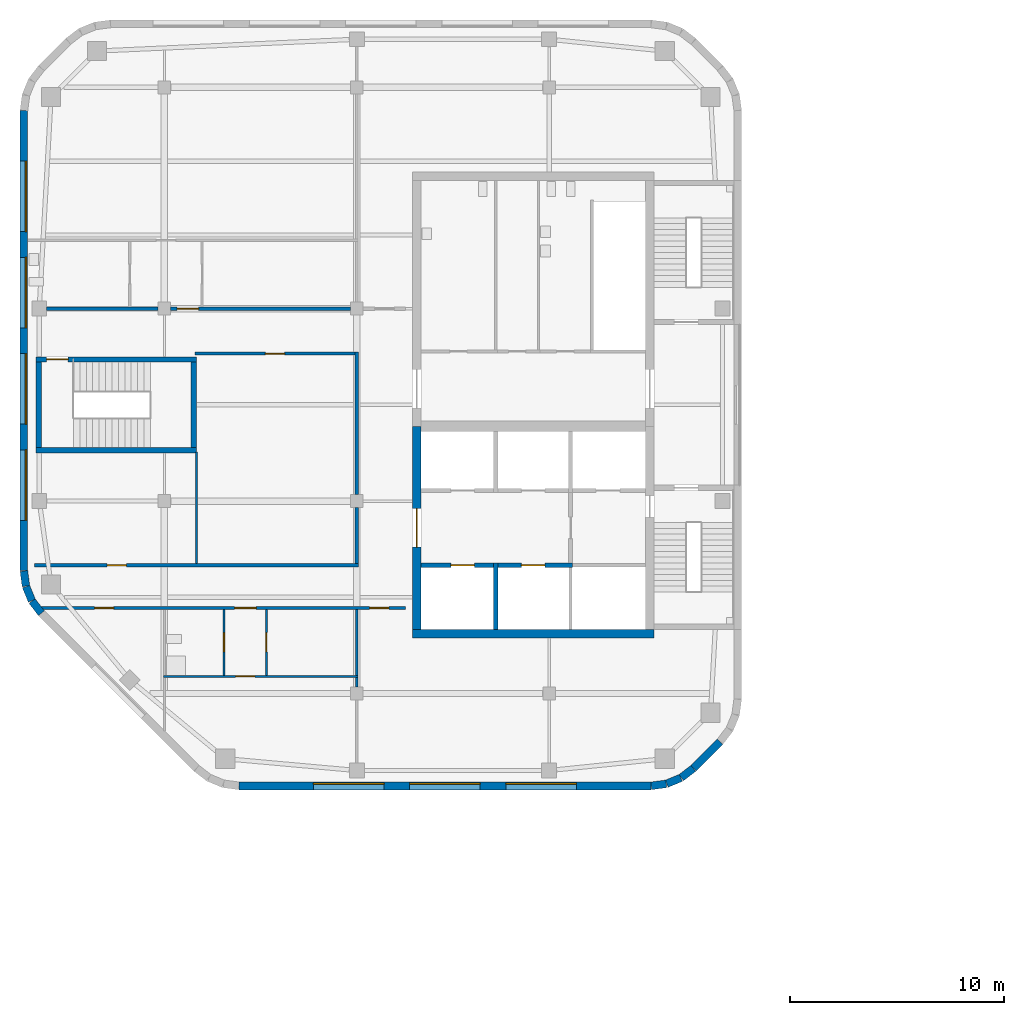
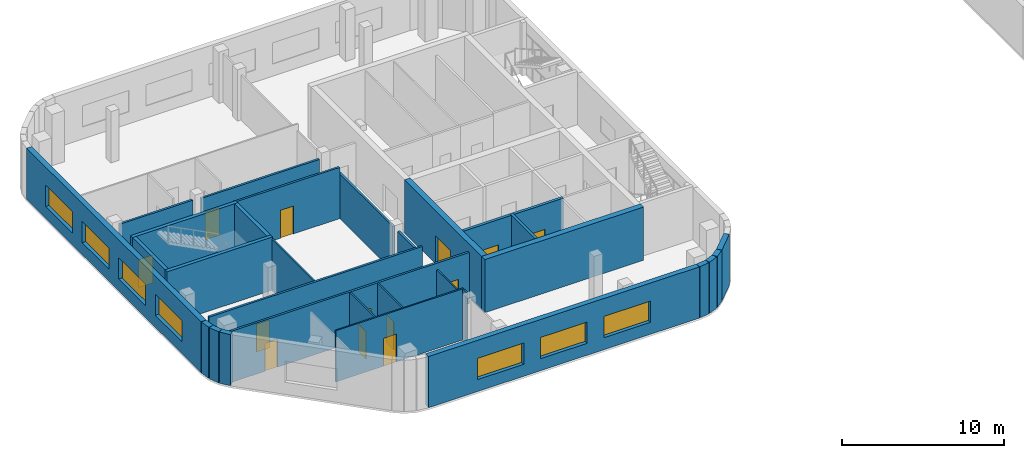
# One storey, part 5 of 14: 31 walls, 13 doors, 7 windows, 20 openings.
"""IFC4 building model written with IfcOpenShell, lengths in metres."""

from ifc_helpers import new_model, si_unit, direction, frame, frame_2d, origin, place, context, subcontext, project, spatial, rectangle, extrude, material, layer, layer_set, type_object, element, fill, save


model = new_model("IFC4")

# Units and contexts
model_context = context("Model", 3, precision=1e-05, world=origin(), true_north=direction((0.0, 1.0)))
body_context = subcontext(model_context, "Body", "Model", "MODEL_VIEW")
ifc_project = project(units=[si_unit("LENGTHUNIT", "METRE"), si_unit("AREAUNIT", "SQUARE_METRE"), si_unit("VOLUMEUNIT", "CUBIC_METRE"), si_unit("PLANEANGLEUNIT", "RADIAN"), si_unit("MASSUNIT", "GRAM", prefix="KILO")], contexts=[model_context])

# Site, building, storey
site_placement = place(None, origin())
site = spatial("IfcSite", under=ifc_project, at=site_placement, CompositionType="ELEMENT")
building_placement = place(site_placement, origin())
building = spatial("IfcBuilding", under=site, at=building_placement, Name="Cinnabar Reach Civic Tower", CompositionType="ELEMENT")
storey_placement = place(building_placement, frame((0.0, 0.0, 104.0)))
storey = spatial("IfcBuildingStorey", under=building, at=storey_placement, Name="L24", CompositionType="ELEMENT", Elevation=104.0)

# Walls
ifc_material_1 = material(Name="Facing brick with insulated backing", Category="masonry")
ifc_layer_1 = layer(ifc_material_1, 0.36)
ifc_layer_set_1 = layer_set([ifc_layer_1], Name="Brick corner wall")
wall_type_1 = type_object("IfcWallType", Name="Brick corner wall", PredefinedType="STANDARD", material=ifc_layer_set_1)
for number, where, z_axis, x_axis, name in (
    (1, (-31.2314, 13.683, 0.0), (0.0, 0.0, 1.0), (0.99144092581, 0.13055608231, 0.0), "Brick corner wall"),
    (2, (-30.5027, 13.7819, 0.0), (0.0, 0.0, 1.0), (0.923871547278, 0.382702709855, 0.0), "Brick corner wall"),
):
    element("IfcWall", number, at=place(storey_placement, frame(where, z_axis=z_axis, x_axis=x_axis)), inside=storey, type_object=wall_type_1, Name=name, PredefinedType="STANDARD", context=body_context, shape_type="SweptSolid", body=[
        extrude(rectangle(XDim=0.7131, YDim=0.36, at=frame_2d((0.3565, 0.0))), origin(), (0.0, 0.0, 1.0), 3.85),
    ])
wall_1_placement = place(storey_placement, frame((-29.8245, 14.066, 0.0), z_axis=(0.0, 0.0, 1.0), x_axis=(0.793321924995, 0.608802368033, 0.0)))
element("IfcWall", 3, at=wall_1_placement, inside=storey, type_object=wall_type_1, Name="Brick corner wall", PredefinedType="STANDARD", context=body_context, shape_type="SweptSolid", body=[
    extrude(rectangle(XDim=0.7132, YDim=0.36, at=frame_2d((0.3566, 0.0))), origin(), (0.0, 0.0, 1.0), 3.85),
])
for number, where, z_axis, x_axis, name in (
    (4, (-60.567, 23.7314, 0.0), (0.0, 0.0, 1.0), (0.13055608231, -0.99144092581, 0.0), "Brick corner wall"),
    (5, (-60.4681, 23.0027, 0.0), (0.0, 0.0, 1.0), (0.382702709855, -0.923871547278, 0.0), "Brick corner wall"),
):
    element("IfcWall", number, at=place(storey_placement, frame(where, z_axis=z_axis, x_axis=x_axis)), inside=storey, type_object=wall_type_1, Name=name, PredefinedType="STANDARD", context=body_context, shape_type="SweptSolid", body=[
        extrude(rectangle(XDim=0.7131, YDim=0.36, at=frame_2d((0.3565, 0.0))), origin(), (0.0, 0.0, 1.0), 3.85),
    ])
wall_2_placement = place(storey_placement, frame((-60.184, 22.3245, 0.0), z_axis=(0.0, 0.0, 1.0), x_axis=(0.608802368033, -0.793321924995, 0.0)))
element("IfcWall", 6, at=wall_2_placement, inside=storey, type_object=wall_type_1, Name="Brick corner wall", PredefinedType="STANDARD", context=body_context, shape_type="SweptSolid", body=[
    extrude(rectangle(XDim=0.7132, YDim=0.36, at=frame_2d((0.3566, 0.0))), origin(), (0.0, 0.0, 1.0), 3.85),
])

# Wall, openings, windows
ifc_layer_2 = layer(ifc_material_1, 0.36)
ifc_layer_set_2 = layer_set([ifc_layer_2], Name="Brick pier and spandrel wall")
wall_type_2 = type_object("IfcWallType", Name="Brick pier and spandrel wall", PredefinedType="STANDARD", material=ifc_layer_set_2)
wall_3_placement = place(storey_placement, frame((-50.5074, 13.68, 0.0), z_axis=(0.0, 0.0, 1.0), x_axis=(1.0, 0.0, 0.0)))
wall_3 = element("IfcWall", 7, at=wall_3_placement, inside=storey, type_object=wall_type_2, Name="Brick facade wall", PredefinedType="STANDARD", context=body_context, shape_type="SweptSolid", body=[
    extrude(rectangle(XDim=19.2648, YDim=0.36, at=frame_2d((9.6324, 0.0))), origin(), (0.0, 0.0, 1.0), 3.85),
])
opening_1_placement = place(wall_3_placement, frame((3.4824, 0.0, 0.9)))
opening_1 = element("IfcOpeningElement", 8, at=opening_1_placement, cuts=wall_3, Name="Opening W2681", PredefinedType="OPENING", context=body_context, shape_type="SweptSolid", body=[
    extrude(rectangle(XDim=3.3, YDim=1.6, at=frame_2d((1.65, 0.8))), frame((0.0, 0.19, 0.0), z_axis=(0.0, -1.0, 0.0), x_axis=(1.0, 0.0, 0.0)), (0.0, 0.0, 1.0), 0.38),
])
opening_2_placement = place(wall_3_placement, frame((7.9824, 0.0, 0.9)))
opening_2 = element("IfcOpeningElement", 9, at=opening_2_placement, cuts=wall_3, Name="Opening W2682", PredefinedType="OPENING", context=body_context, shape_type="SweptSolid", body=[
    extrude(rectangle(XDim=3.3, YDim=1.6, at=frame_2d((1.65, 0.8))), frame((0.0, 0.19, 0.0), z_axis=(0.0, -1.0, 0.0), x_axis=(1.0, 0.0, 0.0)), (0.0, 0.0, 1.0), 0.38),
])
opening_3_placement = place(wall_3_placement, frame((12.4824, 0.0, 0.9)))
opening_3 = element("IfcOpeningElement", 10, at=opening_3_placement, cuts=wall_3, Name="Opening W2683", PredefinedType="OPENING", context=body_context, shape_type="SweptSolid", body=[
    extrude(rectangle(XDim=3.3, YDim=1.6, at=frame_2d((1.65, 0.8))), frame((0.0, 0.19, 0.0), z_axis=(0.0, -1.0, 0.0), x_axis=(1.0, 0.0, 0.0)), (0.0, 0.0, 1.0), 0.38),
])
ifc_material_2 = material(Name="Clear double glazing in aluminium frame", Category="aluminium")
window_type = type_object("IfcWindowType", Name="Deep-set window A", PartitioningType="SINGLE_PANEL", PredefinedType="WINDOW", material=ifc_material_2)
window_1_placement = place(opening_1_placement, origin())
window_1 = element("IfcWindow", 11, at=window_1_placement, inside=storey, type_object=window_type, Name="Window south face", OverallHeight=1.6, OverallWidth=3.3, PartitioningType="SINGLE_PANEL", PredefinedType="WINDOW", context=body_context, shape_type="SweptSolid", body=[
    extrude(rectangle(XDim=3.3, YDim=1.6, at=frame_2d((1.65, 0.8))), frame((0.0, 0.13, 0.0), z_axis=(0.0, -1.0, 0.0), x_axis=(1.0, 0.0, 0.0)), (0.0, 0.0, 1.0), 0.06),
])
fill(opening_1, window_1)
window_2_placement = place(opening_2_placement, origin())
window_2 = element("IfcWindow", 12, at=window_2_placement, inside=storey, type_object=window_type, Name="Window south face", OverallHeight=1.6, OverallWidth=3.3, PartitioningType="SINGLE_PANEL", PredefinedType="WINDOW", context=body_context, shape_type="SweptSolid", body=[
    extrude(rectangle(XDim=3.3, YDim=1.6, at=frame_2d((1.65, 0.8))), frame((0.0, 0.13, 0.0), z_axis=(0.0, -1.0, 0.0), x_axis=(1.0, 0.0, 0.0)), (0.0, 0.0, 1.0), 0.06),
])
fill(opening_2, window_2)
window_3_placement = place(opening_3_placement, origin())
window_3 = element("IfcWindow", 13, at=window_3_placement, inside=storey, type_object=window_type, Name="Window south face", OverallHeight=1.6, OverallWidth=3.3, PartitioningType="SINGLE_PANEL", PredefinedType="WINDOW", context=body_context, shape_type="SweptSolid", body=[
    extrude(rectangle(XDim=3.3, YDim=1.6, at=frame_2d((1.65, 0.8))), frame((0.0, 0.13, 0.0), z_axis=(0.0, -1.0, 0.0), x_axis=(1.0, 0.0, 0.0)), (0.0, 0.0, 1.0), 0.06),
])
fill(opening_3, window_3)

# Wall
wall_4_placement = place(storey_placement, frame((-29.2486, 14.506, 0.0), z_axis=(0.0, 0.0, 1.0), x_axis=(0.707106781187, 0.707106781187, 0.0)))
element("IfcWall", 14, at=wall_4_placement, inside=storey, type_object=wall_type_2, Name="Brick facade wall", PredefinedType="STANDARD", context=body_context, shape_type="SweptSolid", body=[
    extrude(rectangle(XDim=1.7573, YDim=0.36, at=frame_2d((0.8787, 0.0))), origin(), (0.0, 0.0, 1.0), 3.85),
])

# Wall, openings, windows
wall_5_placement = place(storey_placement, frame((-60.57, 45.2574, 0.0), z_axis=(0.0, 0.0, 1.0), x_axis=(0.0, -1.0, 0.0)))
wall_5 = element("IfcWall", 15, at=wall_5_placement, inside=storey, type_object=wall_type_2, Name="Brick facade wall", PredefinedType="STANDARD", context=body_context, shape_type="SweptSolid", body=[
    extrude(rectangle(XDim=21.5148, YDim=0.36, at=frame_2d((10.7574, 0.0))), origin(), (0.0, 0.0, 1.0), 3.85),
])
opening_4_placement = place(wall_5_placement, frame((2.3574, 0.0, 0.9)))
opening_4 = element("IfcOpeningElement", 16, at=opening_4_placement, cuts=wall_5, Name="Opening W2690", PredefinedType="OPENING", context=body_context, shape_type="SweptSolid", body=[
    extrude(rectangle(XDim=3.3, YDim=1.6, at=frame_2d((1.65, 0.8))), frame((0.0, 0.19, 0.0), z_axis=(0.0, -1.0, 0.0), x_axis=(1.0, 0.0, 0.0)), (0.0, 0.0, 1.0), 0.38),
])
opening_5_placement = place(wall_5_placement, frame((6.8574, 0.0, 0.9)))
opening_5 = element("IfcOpeningElement", 17, at=opening_5_placement, cuts=wall_5, Name="Opening W2691", PredefinedType="OPENING", context=body_context, shape_type="SweptSolid", body=[
    extrude(rectangle(XDim=3.3, YDim=1.6, at=frame_2d((1.65, 0.8))), frame((0.0, 0.19, 0.0), z_axis=(0.0, -1.0, 0.0), x_axis=(1.0, 0.0, 0.0)), (0.0, 0.0, 1.0), 0.38),
])
opening_6_placement = place(wall_5_placement, frame((11.3574, 0.0, 0.9)))
opening_6 = element("IfcOpeningElement", 18, at=opening_6_placement, cuts=wall_5, Name="Opening W2692", PredefinedType="OPENING", context=body_context, shape_type="SweptSolid", body=[
    extrude(rectangle(XDim=3.3, YDim=1.6, at=frame_2d((1.65, 0.8))), frame((0.0, 0.19, 0.0), z_axis=(0.0, -1.0, 0.0), x_axis=(1.0, 0.0, 0.0)), (0.0, 0.0, 1.0), 0.38),
])
opening_7_placement = place(wall_5_placement, frame((15.8574, 0.0, 0.9)))
opening_7 = element("IfcOpeningElement", 19, at=opening_7_placement, cuts=wall_5, Name="Opening W2693", PredefinedType="OPENING", context=body_context, shape_type="SweptSolid", body=[
    extrude(rectangle(XDim=3.3, YDim=1.6, at=frame_2d((1.65, 0.8))), frame((0.0, 0.19, 0.0), z_axis=(0.0, -1.0, 0.0), x_axis=(1.0, 0.0, 0.0)), (0.0, 0.0, 1.0), 0.38),
])
window_4_placement = place(opening_4_placement, origin())
window_4 = element("IfcWindow", 20, at=window_4_placement, inside=storey, type_object=window_type, Name="Window west face", OverallHeight=1.6, OverallWidth=3.3, PartitioningType="SINGLE_PANEL", PredefinedType="WINDOW", context=body_context, shape_type="SweptSolid", body=[
    extrude(rectangle(XDim=3.3, YDim=1.6, at=frame_2d((1.65, 0.8))), frame((0.0, 0.13, 0.0), z_axis=(0.0, -1.0, 0.0), x_axis=(1.0, 0.0, 0.0)), (0.0, 0.0, 1.0), 0.06),
])
fill(opening_4, window_4)
window_5_placement = place(opening_5_placement, origin())
window_5 = element("IfcWindow", 21, at=window_5_placement, inside=storey, type_object=window_type, Name="Window west face", OverallHeight=1.6, OverallWidth=3.3, PartitioningType="SINGLE_PANEL", PredefinedType="WINDOW", context=body_context, shape_type="SweptSolid", body=[
    extrude(rectangle(XDim=3.3, YDim=1.6, at=frame_2d((1.65, 0.8))), frame((0.0, 0.13, 0.0), z_axis=(0.0, -1.0, 0.0), x_axis=(1.0, 0.0, 0.0)), (0.0, 0.0, 1.0), 0.06),
])
fill(opening_5, window_5)
window_6_placement = place(opening_6_placement, origin())
window_6 = element("IfcWindow", 22, at=window_6_placement, inside=storey, type_object=window_type, Name="Window west face", OverallHeight=1.6, OverallWidth=3.3, PartitioningType="SINGLE_PANEL", PredefinedType="WINDOW", context=body_context, shape_type="SweptSolid", body=[
    extrude(rectangle(XDim=3.3, YDim=1.6, at=frame_2d((1.65, 0.8))), frame((0.0, 0.13, 0.0), z_axis=(0.0, -1.0, 0.0), x_axis=(1.0, 0.0, 0.0)), (0.0, 0.0, 1.0), 0.06),
])
fill(opening_6, window_6)
window_7_placement = place(opening_7_placement, origin())
window_7 = element("IfcWindow", 23, at=window_7_placement, inside=storey, type_object=window_type, Name="Window west face", OverallHeight=1.6, OverallWidth=3.3, PartitioningType="SINGLE_PANEL", PredefinedType="WINDOW", context=body_context, shape_type="SweptSolid", body=[
    extrude(rectangle(XDim=3.3, YDim=1.6, at=frame_2d((1.65, 0.8))), frame((0.0, 0.13, 0.0), z_axis=(0.0, -1.0, 0.0), x_axis=(1.0, 0.0, 0.0)), (0.0, 0.0, 1.0), 0.06),
])
fill(opening_7, window_7)

# Wall
ifc_material_3 = material(Name="Concrete C60", Category="concrete")
ifc_layer_3 = layer(ifc_material_3, 0.4)
ifc_layer_set_3 = layer_set([ifc_layer_3], Name="Core wall 400 EI 180")
wall_type_3 = type_object("IfcWallType", Name="Core wall 400 EI 180", PredefinedType="SOLIDWALL", material=ifc_layer_set_3)
wall_6_placement = place(storey_placement, frame((-42.4, 20.8, 0.0), z_axis=(0.0, 0.0, 1.0), x_axis=(1.0, 0.0, 0.0)))
element("IfcWall", 24, at=wall_6_placement, inside=storey, type_object=wall_type_3, Name="Core wall T2 L24 S", PredefinedType="SOLIDWALL", context=body_context, shape_type="SweptSolid", body=[
    extrude(rectangle(XDim=11.3, YDim=0.4, at=frame_2d((5.65, 0.0))), origin(), (0.0, 0.0, 1.0), 4.0),
])

# Wall, opening, door
wall_7_placement = place(storey_placement, frame((-42.2, 30.5, 0.0), z_axis=(0.0, 0.0, 1.0), x_axis=(0.0, -1.0, 0.0)))
wall_7 = element("IfcWall", 25, at=wall_7_placement, inside=storey, type_object=wall_type_3, Name="Core wall T2 L24 W2", PredefinedType="SOLIDWALL", context=body_context, shape_type="SweptSolid", body=[
    extrude(rectangle(XDim=9.5, YDim=0.4, at=frame_2d((4.75, 0.0))), origin(), (0.0, 0.0, 1.0), 4.0),
])
opening_8_placement = place(wall_7_placement, frame((3.85, 0.0, 0.0)))
opening_8 = element("IfcOpeningElement", 26, at=opening_8_placement, cuts=wall_7, Name="Opening D6889", PredefinedType="OPENING", context=body_context, shape_type="SweptSolid", body=[
    extrude(rectangle(XDim=1.8, YDim=2.1, at=frame_2d((0.9, 1.05))), frame((0.0, 0.21, 0.0), z_axis=(0.0, -1.0, 0.0), x_axis=(1.0, 0.0, 0.0)), (0.0, 0.0, 1.0), 0.42),
])
ifc_material_4 = material(Name="Steel fire door", Category="steel")
door_type_1 = type_object("IfcDoorType", Name="T2 Double door 1800", OperationType="DOUBLE_DOOR_SINGLE_SWING", PredefinedType="DOOR", material=ifc_material_4)
door_1_placement = place(opening_8_placement, origin())
door_1 = element("IfcDoor", 27, at=door_1_placement, inside=storey, type_object=door_type_1, Name="T2 Double door D6889", OperationType="DOUBLE_DOOR_SINGLE_SWING", OverallHeight=2.1, OverallWidth=1.8, PredefinedType="DOOR", context=body_context, shape_type="SweptSolid", body=[
    extrude(rectangle(XDim=1.8, YDim=2.1, at=frame_2d((0.9, 1.05))), frame((0.0, 0.025, 0.0), z_axis=(0.0, -1.0, 0.0), x_axis=(1.0, 0.0, 0.0)), (0.0, 0.0, 1.0), 0.05),
])
fill(opening_8, door_1)

ifc_material_5 = material(Name="Gypsum board on steel studs, double layer", Category="steel")
ifc_layer_4 = layer(ifc_material_5, 0.15)
ifc_layer_set_4 = layer_set([ifc_layer_4], Name="Corridor wall 150 T2")
wall_type_4 = type_object("IfcWallType", Name="Corridor wall 150 T2", PredefinedType="PARTITIONING", material=ifc_layer_set_4)
wall_8_placement = place(storey_placement, frame((-53.7, 36.0, 0.0), z_axis=(0.0, 0.0, 1.0), x_axis=(1.0, 0.0, 0.0)))
wall_8 = element("IfcWall", 28, at=wall_8_placement, inside=storey, type_object=wall_type_4, Name="Corridor wall 2", PredefinedType="PARTITIONING", context=body_context, shape_type="SweptSolid", body=[
    extrude(rectangle(XDim=8.4, YDim=0.15, at=frame_2d((4.2, 0.0))), origin(), (0.0, 0.0, 1.0), 3.262),
])
opening_9_placement = place(wall_8_placement, frame((0.3, 0.0, 0.0)))
opening_9 = element("IfcOpeningElement", 29, at=opening_9_placement, cuts=wall_8, Name="Opening D6904", PredefinedType="OPENING", context=body_context, shape_type="SweptSolid", body=[
    extrude(rectangle(XDim=1.0, YDim=2.1, at=frame_2d((0.5, 1.05))), frame((0.0, 0.085, 0.0), z_axis=(0.0, -1.0, 0.0), x_axis=(1.0, 0.0, 0.0)), (0.0, 0.0, 1.0), 0.17),
])
ifc_material_6 = material(Name="Timber door leaf in steel frame", Category="steel")
door_type_2 = type_object("IfcDoorType", Name="Tenancy entrance door 1000 x 2100 T2", OperationType="SINGLE_SWING_LEFT", PredefinedType="DOOR", material=ifc_material_6)
door_2_placement = place(opening_9_placement, origin())
door_2 = element("IfcDoor", 30, at=door_2_placement, inside=storey, type_object=door_type_2, Name="Door D6904", OperationType="SINGLE_SWING_RIGHT", OverallHeight=2.1, OverallWidth=1.0, PredefinedType="DOOR", context=body_context, shape_type="SweptSolid", body=[
    extrude(rectangle(XDim=1.0, YDim=2.1, at=frame_2d((0.5, 1.05))), frame((0.0, 0.025, 0.0), z_axis=(0.0, -1.0, 0.0), x_axis=(1.0, 0.0, 0.0)), (0.0, 0.0, 1.0), 0.05),
])
fill(opening_9, door_2)

# Wall
wall_9_placement = place(storey_placement, frame((-59.5, 36.0, 0.0), z_axis=(0.0, 0.0, 1.0), x_axis=(1.0, 0.0, 0.0)))
element("IfcWall", 31, at=wall_9_placement, inside=storey, type_object=wall_type_4, Name="Corridor wall 3", PredefinedType="PARTITIONING", context=body_context, shape_type="SweptSolid", body=[
    extrude(rectangle(XDim=5.2, YDim=0.15, at=frame_2d((2.6, 0.0))), origin(), (0.0, 0.0, 1.0), 3.35),
])

# Wall, openings, doors
wall_10_placement = place(storey_placement, frame((-59.7657, 22.0, 0.0), z_axis=(0.0, 0.0, 1.0), x_axis=(1.0, 0.0, 0.0)))
wall_10 = element("IfcWall", 32, at=wall_10_placement, inside=storey, type_object=wall_type_4, Name="Corridor wall 4", PredefinedType="PARTITIONING", context=body_context, shape_type="SweptSolid", body=[
    extrude(rectangle(XDim=17.0407, YDim=0.15, at=frame_2d((8.5204, 0.0))), origin(), (0.0, 0.0, 1.0), 3.85),
])
opening_10_placement = place(wall_10_placement, frame((15.3657, 0.0, 0.0)))
opening_10 = element("IfcOpeningElement", 33, at=opening_10_placement, cuts=wall_10, Name="Opening D6895", PredefinedType="OPENING", context=body_context, shape_type="SweptSolid", body=[
    extrude(rectangle(XDim=0.9, YDim=2.1, at=frame_2d((0.45, 1.05))), frame((0.0, 0.085, 0.0), z_axis=(0.0, -1.0, 0.0), x_axis=(1.0, 0.0, 0.0)), (0.0, 0.0, 1.0), 0.17),
])
opening_11_placement = place(wall_10_placement, frame((2.5, 0.0, 0.0)))
opening_11 = element("IfcOpeningElement", 34, at=opening_11_placement, cuts=wall_10, Name="Opening D6896", PredefinedType="OPENING", context=body_context, shape_type="SweptSolid", body=[
    extrude(rectangle(XDim=0.9, YDim=2.1, at=frame_2d((0.45, 1.05))), frame((0.0, 0.085, 0.0), z_axis=(0.0, -1.0, 0.0), x_axis=(1.0, 0.0, 0.0)), (0.0, 0.0, 1.0), 0.17),
])
opening_12_placement = place(wall_10_placement, frame((9.0557, 0.0, 0.0)))
opening_12 = element("IfcOpeningElement", 35, at=opening_12_placement, cuts=wall_10, Name="Opening D6900", PredefinedType="OPENING", context=body_context, shape_type="SweptSolid", body=[
    extrude(rectangle(XDim=1.0, YDim=2.1, at=frame_2d((0.5, 1.05))), frame((0.0, 0.085, 0.0), z_axis=(0.0, -1.0, 0.0), x_axis=(1.0, 0.0, 0.0)), (0.0, 0.0, 1.0), 0.17),
])
door_type_3 = type_object("IfcDoorType", Name="Single swing door 900 x 2100 T2", OperationType="SINGLE_SWING_LEFT", PredefinedType="DOOR", material=ifc_material_6)
door_3_placement = place(opening_10_placement, frame((0.9, 0.0, 0.0), z_axis=(0.0, 0.0, 1.0), x_axis=(-1.0, 0.0, 0.0)))
door_3 = element("IfcDoor", 36, at=door_3_placement, inside=storey, type_object=door_type_3, Name="Door D6895", OperationType="SINGLE_SWING_RIGHT", OverallHeight=2.1, OverallWidth=0.9, PredefinedType="DOOR", context=body_context, shape_type="SweptSolid", body=[
    extrude(rectangle(XDim=0.9, YDim=2.1, at=frame_2d((0.45, 1.05))), frame((0.0, 0.025, 0.0), z_axis=(0.0, -1.0, 0.0), x_axis=(1.0, 0.0, 0.0)), (0.0, 0.0, 1.0), 0.05),
])
fill(opening_10, door_3)
door_4_placement = place(opening_11_placement, frame((0.9, 0.0, 0.0), z_axis=(0.0, 0.0, 1.0), x_axis=(-1.0, 0.0, 0.0)))
door_4 = element("IfcDoor", 37, at=door_4_placement, inside=storey, type_object=door_type_3, Name="Door D6896", OperationType="SINGLE_SWING_LEFT", OverallHeight=2.1, OverallWidth=0.9, PredefinedType="DOOR", context=body_context, shape_type="SweptSolid", body=[
    extrude(rectangle(XDim=0.9, YDim=2.1, at=frame_2d((0.45, 1.05))), frame((0.0, 0.025, 0.0), z_axis=(0.0, -1.0, 0.0), x_axis=(1.0, 0.0, 0.0)), (0.0, 0.0, 1.0), 0.05),
])
fill(opening_11, door_4)
door_5_placement = place(opening_12_placement, frame((1.0, 0.0, 0.0), z_axis=(0.0, 0.0, 1.0), x_axis=(-1.0, 0.0, 0.0)))
door_5 = element("IfcDoor", 38, at=door_5_placement, inside=storey, type_object=door_type_2, Name="Door D6900", OperationType="SINGLE_SWING_LEFT", OverallHeight=2.1, OverallWidth=1.0, PredefinedType="DOOR", context=body_context, shape_type="SweptSolid", body=[
    extrude(rectangle(XDim=1.0, YDim=2.1, at=frame_2d((0.5, 1.05))), frame((0.0, 0.025, 0.0), z_axis=(0.0, -1.0, 0.0), x_axis=(1.0, 0.0, 0.0)), (0.0, 0.0, 1.0), 0.05),
])
fill(opening_12, door_5)

# Wall, opening, door
wall_11_placement = place(storey_placement, frame((-60.075, 24.0, 0.0), z_axis=(0.0, 0.0, 1.0), x_axis=(1.0, 0.0, 0.0)))
wall_11 = element("IfcWall", 39, at=wall_11_placement, inside=storey, type_object=wall_type_4, Name="Corridor wall 5", PredefinedType="PARTITIONING", context=body_context, shape_type="SweptSolid", body=[
    extrude(rectangle(XDim=15.15, YDim=0.15, at=frame_2d((7.575, 0.0))), origin(), (0.0, 0.0, 1.0), 3.85),
])
opening_13_placement = place(wall_11_placement, frame((3.4, 0.0, 0.0)))
opening_13 = element("IfcOpeningElement", 40, at=opening_13_placement, cuts=wall_11, Name="Opening D6905", PredefinedType="OPENING", context=body_context, shape_type="SweptSolid", body=[
    extrude(rectangle(XDim=0.9, YDim=2.1, at=frame_2d((0.45, 1.05))), frame((0.0, 0.085, 0.0), z_axis=(0.0, -1.0, 0.0), x_axis=(1.0, 0.0, 0.0)), (0.0, 0.0, 1.0), 0.17),
])
door_6_placement = place(opening_13_placement, origin())
door_6 = element("IfcDoor", 41, at=door_6_placement, inside=storey, type_object=door_type_3, Name="Door D6905", OperationType="SINGLE_SWING_RIGHT", OverallHeight=2.1, OverallWidth=0.9, PredefinedType="DOOR", context=body_context, shape_type="SweptSolid", body=[
    extrude(rectangle(XDim=0.9, YDim=2.1, at=frame_2d((0.45, 1.05))), frame((0.0, 0.025, 0.0), z_axis=(0.0, -1.0, 0.0), x_axis=(1.0, 0.0, 0.0)), (0.0, 0.0, 1.0), 0.05),
])
fill(opening_13, door_6)

# Walls
wall_12_placement = place(storey_placement, frame((-45.0, 24.075, 0.0), z_axis=(0.0, 0.0, 1.0), x_axis=(0.0, 1.0, 0.0)))
element("IfcWall", 42, at=wall_12_placement, inside=storey, type_object=wall_type_4, Name="Corridor wall 6", PredefinedType="PARTITIONING", context=body_context, shape_type="SweptSolid", body=[
    extrude(rectangle(XDim=2.625, YDim=0.15, at=frame_2d((1.3125, 0.0))), origin(), (0.0, 0.0, 1.0), 3.362),
])
wall_13_placement = place(storey_placement, frame((-45.0, 27.3, 0.0), z_axis=(0.0, 0.0, 1.0), x_axis=(0.0, 1.0, 0.0)))
element("IfcWall", 43, at=wall_13_placement, inside=storey, type_object=wall_type_4, Name="Corridor wall 7", PredefinedType="PARTITIONING", context=body_context, shape_type="SweptSolid", body=[
    extrude(rectangle(XDim=6.675, YDim=0.15, at=frame_2d((3.3375, 0.0))), origin(), (0.0, 0.0, 1.0), 3.362),
])

# Wall, opening, door
wall_14_placement = place(storey_placement, frame((-52.575, 33.9, 0.0), z_axis=(0.0, 0.0, 1.0), x_axis=(1.0, 0.0, 0.0)))
wall_14 = element("IfcWall", 44, at=wall_14_placement, inside=storey, type_object=wall_type_4, Name="Corridor wall 8", PredefinedType="PARTITIONING", context=body_context, shape_type="SweptSolid", body=[
    extrude(rectangle(XDim=7.5, YDim=0.15, at=frame_2d((3.75, 0.0))), origin(), (0.0, 0.0, 1.0), 3.85),
])
opening_14_placement = place(wall_14_placement, frame((3.3, 0.0, 0.0)))
opening_14 = element("IfcOpeningElement", 45, at=opening_14_placement, cuts=wall_14, Name="Opening D6906", PredefinedType="OPENING", context=body_context, shape_type="SweptSolid", body=[
    extrude(rectangle(XDim=0.9, YDim=2.1, at=frame_2d((0.45, 1.05))), frame((0.0, 0.085, 0.0), z_axis=(0.0, -1.0, 0.0), x_axis=(1.0, 0.0, 0.0)), (0.0, 0.0, 1.0), 0.17),
])
door_7_placement = place(opening_14_placement, frame((0.9, 0.0, 0.0), z_axis=(0.0, 0.0, 1.0), x_axis=(-1.0, 0.0, 0.0)))
door_7 = element("IfcDoor", 46, at=door_7_placement, inside=storey, type_object=door_type_3, Name="Door D6906", OperationType="SINGLE_SWING_RIGHT", OverallHeight=2.1, OverallWidth=0.9, PredefinedType="DOOR", context=body_context, shape_type="SweptSolid", body=[
    extrude(rectangle(XDim=0.9, YDim=2.1, at=frame_2d((0.45, 1.05))), frame((0.0, 0.025, 0.0), z_axis=(0.0, -1.0, 0.0), x_axis=(1.0, 0.0, 0.0)), (0.0, 0.0, 1.0), 0.05),
])
fill(opening_14, door_7)

ifc_material_7 = material(Name="Gypsum board on steel studs", Category="steel")
ifc_layer_5 = layer(ifc_material_7, 0.1)
ifc_layer_set_5 = layer_set([ifc_layer_5], Name="Partition wall 100 T2")
wall_type_5 = type_object("IfcWallType", Name="Partition wall 100 T2", PredefinedType="PARTITIONING", material=ifc_layer_set_5)
wall_15_placement = place(storey_placement, frame((-54.05, 18.8, 0.0), z_axis=(0.0, 0.0, 1.0), x_axis=(1.0, 0.0, 0.0)))
wall_15 = element("IfcWall", 47, at=wall_15_placement, inside=storey, type_object=wall_type_5, Name="Partition wall 13", PredefinedType="PARTITIONING", context=body_context, shape_type="SweptSolid", body=[
    extrude(rectangle(XDim=9.1, YDim=0.1, at=frame_2d((4.55, 0.0))), origin(), (0.0, 0.0, 1.0), 3.85),
])
opening_15_placement = place(wall_15_placement, frame((3.39, 0.0, 0.0)))
opening_15 = element("IfcOpeningElement", 48, at=opening_15_placement, cuts=wall_15, Name="Opening D6899", PredefinedType="OPENING", context=body_context, shape_type="SweptSolid", body=[
    extrude(rectangle(XDim=0.9, YDim=2.1, at=frame_2d((0.45, 1.05))), frame((0.0, 0.06, 0.0), z_axis=(0.0, -1.0, 0.0), x_axis=(1.0, 0.0, 0.0)), (0.0, 0.0, 1.0), 0.12),
])
door_8_placement = place(opening_15_placement, origin())
door_8 = element("IfcDoor", 49, at=door_8_placement, inside=storey, type_object=door_type_3, Name="Door D6899", OperationType="SINGLE_SWING_RIGHT", OverallHeight=2.1, OverallWidth=0.9, PredefinedType="DOOR", context=body_context, shape_type="SweptSolid", body=[
    extrude(rectangle(XDim=0.9, YDim=2.1, at=frame_2d((0.45, 1.05))), frame((0.0, 0.025, 0.0), z_axis=(0.0, -1.0, 0.0), x_axis=(1.0, 0.0, 0.0)), (0.0, 0.0, 1.0), 0.05),
])
fill(opening_15, door_8)

# Walls
wall_16_placement = place(storey_placement, frame((-45.0, 18.85, 0.0), z_axis=(0.0, 0.0, 1.0), x_axis=(0.0, 1.0, 0.0)))
element("IfcWall", 50, at=wall_16_placement, inside=storey, type_object=wall_type_5, Name="Partition wall 14", PredefinedType="PARTITIONING", context=body_context, shape_type="SweptSolid", body=[
    extrude(rectangle(XDim=3.075, YDim=0.1, at=frame_2d((1.5375, 0.0))), origin(), (0.0, 0.0, 1.0), 3.362),
])
wall_17_placement = place(storey_placement, frame((-45.0, 18.3, 0.0), z_axis=(0.0, 0.0, 1.0), x_axis=(0.0, 1.0, 0.0)))
element("IfcWall", 51, at=wall_17_placement, inside=storey, type_object=wall_type_5, Name="Partition wall 15", PredefinedType="PARTITIONING", context=body_context, shape_type="SweptSolid", body=[
    extrude(rectangle(XDim=0.45, YDim=0.1, at=frame_2d((0.225, 0.0))), origin(), (0.0, 0.0, 1.0), 3.85),
])
wall_18_placement = place(storey_placement, frame((-52.5, 24.075, 0.0), z_axis=(0.0, 0.0, 1.0), x_axis=(0.0, 1.0, 0.0)))
element("IfcWall", 52, at=wall_18_placement, inside=storey, type_object=wall_type_5, Name="Partition wall 19", PredefinedType="PARTITIONING", context=body_context, shape_type="SweptSolid", body=[
    extrude(rectangle(XDim=5.225, YDim=0.1, at=frame_2d((2.6125, 0.0))), origin(), (0.0, 0.0, 1.0), 3.85),
])

# Wall, opening, door
wall_19_placement = place(storey_placement, frame((-51.21, 18.85, 0.0), z_axis=(0.0, 0.0, 1.0), x_axis=(0.0, 1.0, 0.0)))
wall_19 = element("IfcWall", 53, at=wall_19_placement, inside=storey, type_object=wall_type_5, Name="Partition wall 22", PredefinedType="PARTITIONING", context=body_context, shape_type="SweptSolid", body=[
    extrude(rectangle(XDim=3.075, YDim=0.1, at=frame_2d((1.5375, 0.0))), origin(), (0.0, 0.0, 1.0), 3.85),
])
opening_16_placement = place(wall_19_placement, frame((1.1, 0.0, 0.0)))
opening_16 = element("IfcOpeningElement", 54, at=opening_16_placement, cuts=wall_19, Name="Opening D6897", PredefinedType="OPENING", context=body_context, shape_type="SweptSolid", body=[
    extrude(rectangle(XDim=0.9, YDim=2.1, at=frame_2d((0.45, 1.05))), frame((0.0, 0.06, 0.0), z_axis=(0.0, -1.0, 0.0), x_axis=(1.0, 0.0, 0.0)), (0.0, 0.0, 1.0), 0.12),
])
door_9_placement = place(opening_16_placement, origin())
door_9 = element("IfcDoor", 55, at=door_9_placement, inside=storey, type_object=door_type_3, Name="Door D6897", OperationType="SINGLE_SWING_RIGHT", OverallHeight=2.1, OverallWidth=0.9, PredefinedType="DOOR", context=body_context, shape_type="SweptSolid", body=[
    extrude(rectangle(XDim=0.9, YDim=2.1, at=frame_2d((0.45, 1.05))), frame((0.0, 0.025, 0.0), z_axis=(0.0, -1.0, 0.0), x_axis=(1.0, 0.0, 0.0)), (0.0, 0.0, 1.0), 0.05),
])
fill(opening_16, door_9)

wall_20_placement = place(storey_placement, frame((-49.23, 18.85, 0.0), z_axis=(0.0, 0.0, 1.0), x_axis=(0.0, 1.0, 0.0)))
wall_20 = element("IfcWall", 56, at=wall_20_placement, inside=storey, type_object=wall_type_5, Name="Partition wall 23", PredefinedType="PARTITIONING", context=body_context, shape_type="SweptSolid", body=[
    extrude(rectangle(XDim=3.075, YDim=0.1, at=frame_2d((1.5375, 0.0))), origin(), (0.0, 0.0, 1.0), 3.85),
])
opening_17_placement = place(wall_20_placement, frame((1.1, 0.0, 0.0)))
opening_17 = element("IfcOpeningElement", 57, at=opening_17_placement, cuts=wall_20, Name="Opening D6898", PredefinedType="OPENING", context=body_context, shape_type="SweptSolid", body=[
    extrude(rectangle(XDim=0.9, YDim=2.1, at=frame_2d((0.45, 1.05))), frame((0.0, 0.06, 0.0), z_axis=(0.0, -1.0, 0.0), x_axis=(1.0, 0.0, 0.0)), (0.0, 0.0, 1.0), 0.12),
])
door_10_placement = place(opening_17_placement, origin())
door_10 = element("IfcDoor", 58, at=door_10_placement, inside=storey, type_object=door_type_3, Name="Door D6898", OperationType="SINGLE_SWING_RIGHT", OverallHeight=2.1, OverallWidth=0.9, PredefinedType="DOOR", context=body_context, shape_type="SweptSolid", body=[
    extrude(rectangle(XDim=0.9, YDim=2.1, at=frame_2d((0.45, 1.05))), frame((0.0, 0.025, 0.0), z_axis=(0.0, -1.0, 0.0), x_axis=(1.0, 0.0, 0.0)), (0.0, 0.0, 1.0), 0.05),
])
fill(opening_17, door_10)

# Wall
ifc_layer_6 = layer(ifc_material_3, 0.25)
ifc_layer_set_6 = layer_set([ifc_layer_6], Name="Stair shaft wall 250 EI 120")
wall_type_6 = type_object("IfcWallType", Name="Stair shaft wall 250 EI 120", PredefinedType="SOLIDWALL", material=ifc_layer_set_6)
wall_21_placement = place(storey_placement, frame((-60.0, 29.375, 0.0), z_axis=(0.0, 0.0, 1.0), x_axis=(1.0, 0.0, 0.0)))
element("IfcWall", 59, at=wall_21_placement, inside=storey, type_object=wall_type_6, Name="Stair shaft wall T2-S3 L24", PredefinedType="SOLIDWALL", context=body_context, shape_type="SweptSolid", body=[
    extrude(rectangle(XDim=7.5, YDim=0.25, at=frame_2d((3.75, 0.0))), origin(), (0.0, 0.0, 1.0), 4.0),
])

# Wall, opening, door
wall_22_placement = place(storey_placement, frame((-52.5, 33.625, 0.0), z_axis=(0.0, 0.0, 1.0), x_axis=(-1.0, 0.0, 0.0)))
wall_22 = element("IfcWall", 60, at=wall_22_placement, inside=storey, type_object=wall_type_6, Name="Stair shaft wall T2-S3 L24", PredefinedType="SOLIDWALL", context=body_context, shape_type="SweptSolid", body=[
    extrude(rectangle(XDim=7.5, YDim=0.25, at=frame_2d((3.75, 0.0))), origin(), (0.0, 0.0, 1.0), 4.0),
])
opening_18_placement = place(wall_22_placement, frame((6.0, 0.0, 0.0)))
opening_18 = element("IfcOpeningElement", 61, at=opening_18_placement, cuts=wall_22, Name="Opening D6907", PredefinedType="OPENING", context=body_context, shape_type="SweptSolid", body=[
    extrude(rectangle(XDim=1.0, YDim=2.1, at=frame_2d((0.5, 1.05))), frame((0.0, 0.135, 0.0), z_axis=(0.0, -1.0, 0.0), x_axis=(1.0, 0.0, 0.0)), (0.0, 0.0, 1.0), 0.27),
])
door_type_4 = type_object("IfcDoorType", Name="Stair door 1000 x 2100 T2", OperationType="SINGLE_SWING_LEFT", PredefinedType="DOOR", material=ifc_material_6)
door_11_placement = place(opening_18_placement, origin())
door_11 = element("IfcDoor", 62, at=door_11_placement, inside=storey, type_object=door_type_4, Name="Door D6907", OperationType="SINGLE_SWING_RIGHT", OverallHeight=2.1, OverallWidth=1.0, PredefinedType="DOOR", context=body_context, shape_type="SweptSolid", body=[
    extrude(rectangle(XDim=1.0, YDim=2.1, at=frame_2d((0.5, 1.05))), frame((0.0, 0.025, 0.0), z_axis=(0.0, -1.0, 0.0), x_axis=(1.0, 0.0, 0.0)), (0.0, 0.0, 1.0), 0.05),
])
fill(opening_18, door_11)

# Walls
for number, where, z_axis, x_axis, name in (
    (63, (-52.625, 29.5, 0.0), (0.0, 0.0, 1.0), (0.0, 1.0, 0.0), "Stair shaft wall T2-S3 L24"),
    (64, (-59.875, 33.5, 0.0), (0.0, 0.0, 1.0), (0.0, -1.0, 0.0), "Stair shaft wall T2-S3 L24"),
):
    element("IfcWall", number, at=place(storey_placement, frame(where, z_axis=z_axis, x_axis=x_axis)), inside=storey, type_object=wall_type_6, Name=name, PredefinedType="SOLIDWALL", context=body_context, shape_type="SweptSolid", body=[
        extrude(rectangle(XDim=4.0, YDim=0.25, at=frame_2d((2.0, 0.0))), origin(), (0.0, 0.0, 1.0), 4.0),
    ])
ifc_material_8 = material(Name="Concrete C40", Category="concrete")
ifc_layer_7 = layer(ifc_material_8, 0.2)
ifc_layer_set_7 = layer_set([ifc_layer_7], Name="T2 Shaft wall 200")
wall_type_7 = type_object("IfcWallType", Name="T2 Shaft wall 200", PredefinedType="SOLIDWALL", material=ifc_layer_set_7)
wall_23_placement = place(storey_placement, frame((-38.5, 21.0, 0.0), z_axis=(0.0, 0.0, 1.0), x_axis=(0.0, 1.0, 0.0)))
element("IfcWall", 65, at=wall_23_placement, inside=storey, type_object=wall_type_7, Name="T2 Shaft wall L24 001", PredefinedType="SOLIDWALL", context=body_context, shape_type="SweptSolid", body=[
    extrude(rectangle(XDim=3.1, YDim=0.2, at=frame_2d((1.55, 0.0))), origin(), (0.0, 0.0, 1.0), 4.0),
])

# Wall, opening, door
wall_24_placement = place(storey_placement, frame((-38.6, 24.0, 0.0), z_axis=(0.0, 0.0, 1.0), x_axis=(-1.0, 0.0, 0.0)))
wall_24 = element("IfcWall", 66, at=wall_24_placement, inside=storey, type_object=wall_type_7, Name="T2 Shaft wall L24 002", PredefinedType="SOLIDWALL", context=body_context, shape_type="SweptSolid", body=[
    extrude(rectangle(XDim=3.4, YDim=0.2, at=frame_2d((1.7, 0.0))), origin(), (0.0, 0.0, 1.0), 4.0),
])
opening_19_placement = place(wall_24_placement, frame((0.9, 0.0, 0.0)))
opening_19 = element("IfcOpeningElement", 67, at=opening_19_placement, cuts=wall_24, Name="Opening D6879", PredefinedType="OPENING", context=body_context, shape_type="SweptSolid", body=[
    extrude(rectangle(XDim=1.1, YDim=2.1, at=frame_2d((0.55, 1.05))), frame((0.0, 0.11, 0.0), z_axis=(0.0, -1.0, 0.0), x_axis=(1.0, 0.0, 0.0)), (0.0, 0.0, 1.0), 0.22),
])
door_type_5 = type_object("IfcDoorType", Name="T2 Lift landing door 1100", OperationType="SLIDING_TO_LEFT", PredefinedType="DOOR", material=ifc_material_4)
door_12_placement = place(opening_19_placement, origin())
door_12 = element("IfcDoor", 68, at=door_12_placement, inside=storey, type_object=door_type_5, Name="T2 Lift landing door D6879", OperationType="SLIDING_TO_LEFT", OverallHeight=2.1, OverallWidth=1.1, PredefinedType="DOOR", context=body_context, shape_type="SweptSolid", body=[
    extrude(rectangle(XDim=1.1, YDim=2.1, at=frame_2d((0.55, 1.05))), frame((0.0, 0.025, 0.0), z_axis=(0.0, -1.0, 0.0), x_axis=(1.0, 0.0, 0.0)), (0.0, 0.0, 1.0), 0.05),
])
fill(opening_19, door_12)

wall_25_placement = place(storey_placement, frame((-34.9, 24.0, 0.0), z_axis=(0.0, 0.0, 1.0), x_axis=(-1.0, 0.0, 0.0)))
wall_25 = element("IfcWall", 69, at=wall_25_placement, inside=storey, type_object=wall_type_7, Name="T2 Shaft wall L24 003", PredefinedType="SOLIDWALL", context=body_context, shape_type="SweptSolid", body=[
    extrude(rectangle(XDim=3.5, YDim=0.2, at=frame_2d((1.75, 0.0))), origin(), (0.0, 0.0, 1.0), 4.0),
])
opening_20_placement = place(wall_25_placement, frame((1.3, 0.0, 0.0)))
opening_20 = element("IfcOpeningElement", 70, at=opening_20_placement, cuts=wall_25, Name="Opening D6880", PredefinedType="OPENING", context=body_context, shape_type="SweptSolid", body=[
    extrude(rectangle(XDim=1.1, YDim=2.1, at=frame_2d((0.55, 1.05))), frame((0.0, 0.11, 0.0), z_axis=(0.0, -1.0, 0.0), x_axis=(1.0, 0.0, 0.0)), (0.0, 0.0, 1.0), 0.22),
])
door_13_placement = place(opening_20_placement, origin())
door_13 = element("IfcDoor", 71, at=door_13_placement, inside=storey, type_object=door_type_5, Name="T2 Lift landing door D6880", OperationType="SLIDING_TO_LEFT", OverallHeight=2.1, OverallWidth=1.1, PredefinedType="DOOR", context=body_context, shape_type="SweptSolid", body=[
    extrude(rectangle(XDim=1.1, YDim=2.1, at=frame_2d((0.55, 1.05))), frame((0.0, 0.025, 0.0), z_axis=(0.0, -1.0, 0.0), x_axis=(1.0, 0.0, 0.0)), (0.0, 0.0, 1.0), 0.05),
])
fill(opening_20, door_13)

save(model, "model.ifc")
